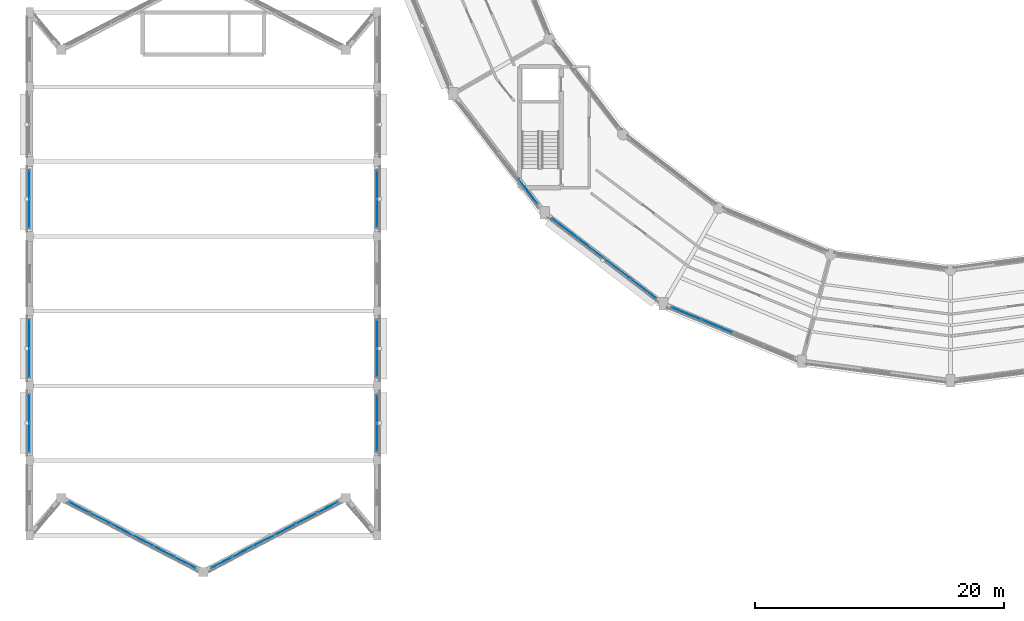
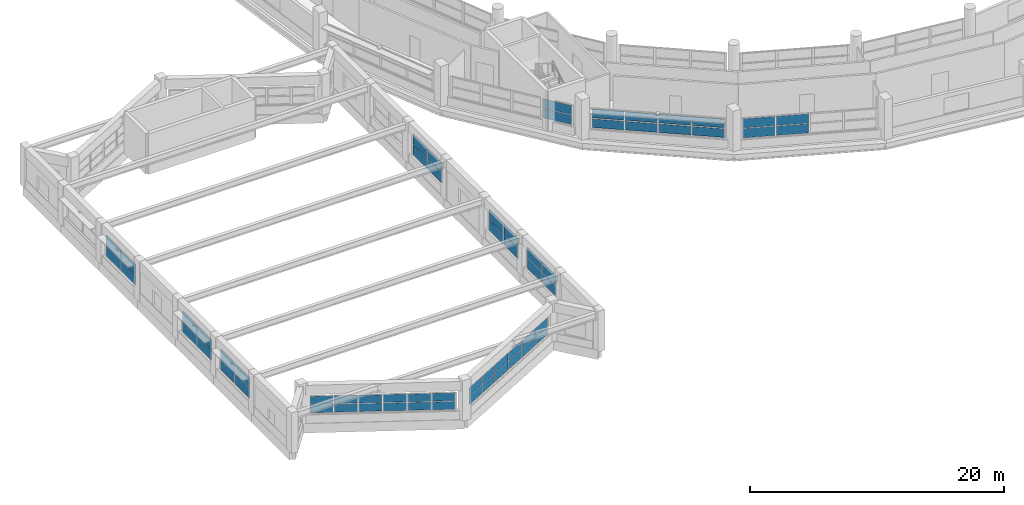
# One storey, part 83 of 108: 62 plates, 11 elements without a shape of their own.
"""IFC4 building model written with IfcOpenShell, lengths in metres."""

from ifc_helpers import new_model, si_unit, direction, frame, origin, origin_2d, place, context, subcontext, project, spatial, rectangle, extrude, material, layer, layer_set, type_object, element, aggregate, save


model = new_model("IFC4")

# Units and contexts
model_context = context("Model", 3, precision=1e-05, world=origin(), true_north=direction((0.0, 1.0)))
body_context = subcontext(model_context, "Body", "Model", "MODEL_VIEW")
ifc_project = project(units=[si_unit("LENGTHUNIT", "METRE"), si_unit("AREAUNIT", "SQUARE_METRE"), si_unit("VOLUMEUNIT", "CUBIC_METRE"), si_unit("PLANEANGLEUNIT", "RADIAN"), si_unit("MASSUNIT", "GRAM", prefix="KILO")], contexts=[model_context])

# Site, building, storey
site_placement = place(None, origin())
site = spatial("IfcSite", under=ifc_project, at=site_placement, CompositionType="ELEMENT")
building_placement = place(site_placement, origin())
building = spatial("IfcBuilding", under=site, at=building_placement, Name="Vespera Passage Community Centre", CompositionType="ELEMENT")
storey_placement = place(building_placement, frame((0.0, 0.0, 12.60009765625)))
storey = spatial("IfcBuildingStorey", under=building, at=storey_placement, Name="L03", CompositionType="ELEMENT", Elevation=12.60009765625)

# Curtain wall, plates
ifc_material_1 = material(Name="Anodized aluminium 6063-T6", Category="aluminium")
ifc_layer_1 = layer(ifc_material_1, 0.159912109375)
ifc_layer_set_1 = layer_set([ifc_layer_1], Name="Anodized aluminium 6063-T6")
curtain_wall_type_1 = type_object("IfcCurtainWallType", Name="CW-37E", PredefinedType="NOTDEFINED", material=ifc_layer_set_1)
curtain_wall_1_placement = place(storey_placement, origin())
curtain_wall_1 = element("IfcCurtainWall", 1, at=curtain_wall_1_placement, inside=storey, type_object=curtain_wall_type_1, Name="V4 L03 Outer Ribbon Curtain Wall 15", PredefinedType="NOTDEFINED")
ifc_material_2 = material(Name="Low-E insulated vision glass", Category="glass")
ifc_layer_2 = layer(ifc_material_2, 0.02001953125)
ifc_layer_set_2 = layer_set([ifc_layer_2], Name="Low-E insulated vision glass")
plate_type_1 = type_object("IfcPlateType", Name="PL-CWP-20E", PredefinedType="CURTAIN_PANEL", material=ifc_layer_set_2)
plate_1_placement = place(storey_placement, frame((53.33447265625, 26.81591796875, 0.919921875), z_axis=(0.0, 0.0, 1.0), x_axis=(-0.793345363065, 0.608771824991, 0.0)))
plate_1 = element("IfcPlate", 2, at=plate_1_placement, type_object=plate_type_1, Name="CW-37E panel 1.1", PredefinedType="CURTAIN_PANEL", context=body_context, shape_type="SweptSolid", body=[
    extrude(rectangle(XDim=2.5673828125, YDim=0.02001953125, at=origin_2d()), origin(), (0.0, 0.0, 1.0), 0.832763671875),
])
plate_2_placement = place(storey_placement, frame((53.33447265625, 26.81591796875, 1.8525390625), z_axis=(0.0, 0.0, 1.0), x_axis=(-0.793345363065, 0.608771824991, 0.0)))
plate_2 = element("IfcPlate", 3, at=plate_2_placement, type_object=plate_type_1, Name="CW-37E panel 1.2", PredefinedType="CURTAIN_PANEL", context=body_context, shape_type="SweptSolid", body=[
    extrude(rectangle(XDim=2.5673828125, YDim=0.02001953125, at=origin_2d()), origin(), (0.0, 0.0, 1.0), 0.832763671875),
])
plate_3_placement = place(storey_placement, frame((51.233154296875, 28.42822265625, 0.919921875), z_axis=(0.0, 0.0, 1.0), x_axis=(-0.793345363065, 0.608771824991, 0.0)))
plate_3 = element("IfcPlate", 4, at=plate_3_placement, type_object=plate_type_1, Name="CW-37E panel 2.1", PredefinedType="CURTAIN_PANEL", context=body_context, shape_type="SweptSolid", body=[
    extrude(rectangle(XDim=2.599853515625, YDim=0.02001953125, at=origin_2d()), origin(), (0.0, 0.0, 1.0), 0.832763671875),
])
plate_4_placement = place(storey_placement, frame((51.233154296875, 28.42822265625, 1.8525390625), z_axis=(0.0, 0.0, 1.0), x_axis=(-0.793345363065, 0.608771824991, 0.0)))
plate_4 = element("IfcPlate", 5, at=plate_4_placement, type_object=plate_type_1, Name="CW-37E panel 2.2", PredefinedType="CURTAIN_PANEL", context=body_context, shape_type="SweptSolid", body=[
    extrude(rectangle(XDim=2.599853515625, YDim=0.02001953125, at=origin_2d()), origin(), (0.0, 0.0, 1.0), 0.832763671875),
])
plate_5_placement = place(storey_placement, frame((49.119140625, 30.050537109375, 0.919921875), z_axis=(0.0, 0.0, 1.0), x_axis=(-0.793345363065, 0.608771824991, 0.0)))
plate_5 = element("IfcPlate", 6, at=plate_5_placement, type_object=plate_type_1, Name="CW-37E panel 3.1", PredefinedType="CURTAIN_PANEL", context=body_context, shape_type="SweptSolid", body=[
    extrude(rectangle(XDim=2.599853515625, YDim=0.02001953125, at=origin_2d()), origin(), (0.0, 0.0, 1.0), 0.832763671875),
])
plate_6_placement = place(storey_placement, frame((49.119140625, 30.050537109375, 1.8525390625), z_axis=(0.0, 0.0, 1.0), x_axis=(-0.793345363065, 0.608771824991, 0.0)))
plate_6 = element("IfcPlate", 7, at=plate_6_placement, type_object=plate_type_1, Name="CW-37E panel 3.2", PredefinedType="CURTAIN_PANEL", context=body_context, shape_type="SweptSolid", body=[
    extrude(rectangle(XDim=2.599853515625, YDim=0.02001953125, at=origin_2d()), origin(), (0.0, 0.0, 1.0), 0.832763671875),
])
plate_7_placement = place(storey_placement, frame((47.017822265625, 31.662841796875, 0.919921875), z_axis=(0.0, 0.0, 1.0), x_axis=(-0.793345363065, 0.608771824991, 0.0)))
plate_7 = element("IfcPlate", 8, at=plate_7_placement, type_object=plate_type_1, Name="CW-37E panel 4.1", PredefinedType="CURTAIN_PANEL", context=body_context, shape_type="SweptSolid", body=[
    extrude(rectangle(XDim=2.5673828125, YDim=0.02001953125, at=origin_2d()), origin(), (0.0, 0.0, 1.0), 0.832763671875),
])
plate_8_placement = place(storey_placement, frame((47.017822265625, 31.662841796875, 1.8525390625), z_axis=(0.0, 0.0, 1.0), x_axis=(-0.793345363065, 0.608771824991, 0.0)))
plate_8 = element("IfcPlate", 9, at=plate_8_placement, type_object=plate_type_1, Name="CW-37E panel 4.2", PredefinedType="CURTAIN_PANEL", context=body_context, shape_type="SweptSolid", body=[
    extrude(rectangle(XDim=2.5673828125, YDim=0.02001953125, at=origin_2d()), origin(), (0.0, 0.0, 1.0), 0.832763671875),
])
aggregate(curtain_wall_1, [plate_1, plate_2, plate_3, plate_4, plate_5, plate_6, plate_7, plate_8])

ifc_material_3 = material(Name="Anodized aluminium 6063-T6", Category="aluminium")
ifc_layer_3 = layer(ifc_material_3, 0.159912109375)
ifc_layer_set_3 = layer_set([ifc_layer_3], Name="Anodized aluminium 6063-T6")
curtain_wall_type_2 = type_object("IfcCurtainWallType", Name="CW-39E", PredefinedType="NOTDEFINED", material=ifc_layer_set_3)
curtain_wall_2_placement = place(storey_placement, origin())
curtain_wall_2 = element("IfcCurtainWall", 10, at=curtain_wall_2_placement, inside=storey, type_object=curtain_wall_type_2, Name="V4 L03 Outer Ribbon Curtain Wall 16", PredefinedType="NOTDEFINED")
ifc_material_4 = material(Name="Low-E insulated vision glass", Category="glass")
ifc_layer_4 = layer(ifc_material_4, 0.028076171875)
ifc_layer_set_4 = layer_set([ifc_layer_4], Name="Low-E insulated vision glass")
plate_type_2 = type_object("IfcPlateType", Name="PL-CWP-28E", PredefinedType="CURTAIN_PANEL", material=ifc_layer_set_4)
plate_9_placement = place(storey_placement, frame((59.2626953125, 23.789794921875, 0.8798828125), z_axis=(0.0, 0.0, 1.0), x_axis=(-0.923879738007, 0.382682936255, 0.0)))
plate_9 = element("IfcPlate", 11, at=plate_9_placement, type_object=plate_type_2, Name="CW-39E panel 3.1", PredefinedType="CURTAIN_PANEL", context=body_context, shape_type="SweptSolid", body=[
    extrude(rectangle(XDim=2.623291015625, YDim=0.028076171875, at=origin_2d()), origin(), (0.0, 0.0, 1.0), 0.892822265625),
])
plate_10_placement = place(storey_placement, frame((59.2626953125, 23.789794921875, 1.83251953125), z_axis=(0.0, 0.0, 1.0), x_axis=(-0.923879738007, 0.382682936255, 0.0)))
plate_10 = element("IfcPlate", 12, at=plate_10_placement, type_object=plate_type_2, Name="CW-39E panel 3.2", PredefinedType="CURTAIN_PANEL", context=body_context, shape_type="SweptSolid", body=[
    extrude(rectangle(XDim=2.623291015625, YDim=0.028076171875, at=origin_2d()), origin(), (0.0, 0.0, 1.0), 0.892822265625),
])
plate_11_placement = place(storey_placement, frame((56.787353515625, 24.815185546875, 0.8798828125), z_axis=(0.0, 0.0, 1.0), x_axis=(-0.923879738007, 0.382682936255, 0.0)))
plate_11 = element("IfcPlate", 13, at=plate_11_placement, type_object=plate_type_2, Name="CW-39E panel 4.1", PredefinedType="CURTAIN_PANEL", context=body_context, shape_type="SweptSolid", body=[
    extrude(rectangle(XDim=2.585693359375, YDim=0.028076171875, at=origin_2d()), origin(), (0.0, 0.0, 1.0), 0.892822265625),
])
plate_12_placement = place(storey_placement, frame((56.787353515625, 24.815185546875, 1.83251953125), z_axis=(0.0, 0.0, 1.0), x_axis=(-0.923879738007, 0.382682936255, 0.0)))
plate_12 = element("IfcPlate", 14, at=plate_12_placement, type_object=plate_type_2, Name="CW-39E panel 4.2", PredefinedType="CURTAIN_PANEL", context=body_context, shape_type="SweptSolid", body=[
    extrude(rectangle(XDim=2.585693359375, YDim=0.028076171875, at=origin_2d()), origin(), (0.0, 0.0, 1.0), 0.892822265625),
])
aggregate(curtain_wall_2, [plate_9, plate_10, plate_11, plate_12])

ifc_material_5 = material(Name="Anodized aluminium 6063-T6", Category="aluminium")
ifc_layer_5 = layer(ifc_material_5, 0.159912109375)
ifc_layer_set_5 = layer_set([ifc_layer_5], Name="Anodized aluminium 6063-T6")
curtain_wall_type_3 = type_object("IfcCurtainWallType", Name="CW-88E", PredefinedType="NOTDEFINED", material=ifc_layer_set_5)
curtain_wall_3_placement = place(storey_placement, origin())
curtain_wall_3 = element("IfcCurtainWall", 15, at=curtain_wall_3_placement, inside=storey, type_object=curtain_wall_type_3, Name="V1 L03 S Apse Ribbon Curtain Wall 2", PredefinedType="NOTDEFINED")
plate_13_placement = place(storey_placement, frame((27.98681640625, 9.248779296875, 0.85986328125), z_axis=(0.0, 0.0, 1.0), x_axis=(-0.887012747062, -0.46174493668, 0.0)))
plate_13 = element("IfcPlate", 16, at=plate_13_placement, type_object=plate_type_2, Name="CW-88E panel 1.1", PredefinedType="CURTAIN_PANEL", context=body_context, shape_type="SweptSolid", body=[
    extrude(rectangle(XDim=1.822021484375, YDim=0.028076171875, at=origin_2d()), origin(), (0.0, 0.0, 1.0), 0.760009765625),
])
plate_14_placement = place(storey_placement, frame((27.98681640625, 9.248779296875, 1.6796875), z_axis=(0.0, 0.0, 1.0), x_axis=(-0.887012747062, -0.46174493668, 0.0)))
plate_14 = element("IfcPlate", 17, at=plate_14_placement, type_object=plate_type_2, Name="CW-88E panel 1.2", PredefinedType="CURTAIN_PANEL", context=body_context, shape_type="SweptSolid", body=[
    extrude(rectangle(XDim=1.822021484375, YDim=0.028076171875, at=origin_2d()), origin(), (0.0, 0.0, 1.0), 0.760009765625),
])
plate_15_placement = place(storey_placement, frame((26.28759765625, 8.3642578125, 0.85986328125), z_axis=(0.0, 0.0, 1.0), x_axis=(-0.887012747062, -0.46174493668, 0.0)))
plate_15 = element("IfcPlate", 18, at=plate_15_placement, type_object=plate_type_2, Name="CW-88E panel 2.1", PredefinedType="CURTAIN_PANEL", context=body_context, shape_type="SweptSolid", body=[
    extrude(rectangle(XDim=1.859619140625, YDim=0.028076171875, at=origin_2d()), origin(), (0.0, 0.0, 1.0), 0.760009765625),
])
plate_16_placement = place(storey_placement, frame((26.28759765625, 8.3642578125, 1.6796875), z_axis=(0.0, 0.0, 1.0), x_axis=(-0.887012747062, -0.46174493668, 0.0)))
plate_16 = element("IfcPlate", 19, at=plate_16_placement, type_object=plate_type_2, Name="CW-88E panel 2.2", PredefinedType="CURTAIN_PANEL", context=body_context, shape_type="SweptSolid", body=[
    extrude(rectangle(XDim=1.859619140625, YDim=0.028076171875, at=origin_2d()), origin(), (0.0, 0.0, 1.0), 0.760009765625),
])
plate_17_placement = place(storey_placement, frame((24.571533203125, 7.470947265625, 0.85986328125), z_axis=(0.0, 0.0, 1.0), x_axis=(-0.887012747062, -0.46174493668, 0.0)))
plate_17 = element("IfcPlate", 20, at=plate_17_placement, type_object=plate_type_2, Name="CW-88E panel 3.1", PredefinedType="CURTAIN_PANEL", context=body_context, shape_type="SweptSolid", body=[
    extrude(rectangle(XDim=1.859619140625, YDim=0.028076171875, at=origin_2d()), origin(), (0.0, 0.0, 1.0), 0.760009765625),
])
plate_18_placement = place(storey_placement, frame((24.571533203125, 7.470947265625, 1.6796875), z_axis=(0.0, 0.0, 1.0), x_axis=(-0.887012747062, -0.46174493668, 0.0)))
plate_18 = element("IfcPlate", 21, at=plate_18_placement, type_object=plate_type_2, Name="CW-88E panel 3.2", PredefinedType="CURTAIN_PANEL", context=body_context, shape_type="SweptSolid", body=[
    extrude(rectangle(XDim=1.859619140625, YDim=0.028076171875, at=origin_2d()), origin(), (0.0, 0.0, 1.0), 0.760009765625),
])
plate_19_placement = place(storey_placement, frame((22.855712890625, 6.57763671875, 0.85986328125), z_axis=(0.0, 0.0, 1.0), x_axis=(-0.887012747062, -0.46174493668, 0.0)))
plate_19 = element("IfcPlate", 22, at=plate_19_placement, type_object=plate_type_2, Name="CW-88E panel 4.1", PredefinedType="CURTAIN_PANEL", context=body_context, shape_type="SweptSolid", body=[
    extrude(rectangle(XDim=1.859619140625, YDim=0.028076171875, at=origin_2d()), origin(), (0.0, 0.0, 1.0), 0.760009765625),
])
plate_20_placement = place(storey_placement, frame((22.855712890625, 6.57763671875, 1.6796875), z_axis=(0.0, 0.0, 1.0), x_axis=(-0.887012747062, -0.46174493668, 0.0)))
plate_20 = element("IfcPlate", 23, at=plate_20_placement, type_object=plate_type_2, Name="CW-88E panel 4.2", PredefinedType="CURTAIN_PANEL", context=body_context, shape_type="SweptSolid", body=[
    extrude(rectangle(XDim=1.859619140625, YDim=0.028076171875, at=origin_2d()), origin(), (0.0, 0.0, 1.0), 0.760009765625),
])
plate_21_placement = place(storey_placement, frame((21.1396484375, 5.684326171875, 0.85986328125), z_axis=(0.0, 0.0, 1.0), x_axis=(-0.887012747062, -0.46174493668, 0.0)))
plate_21 = element("IfcPlate", 24, at=plate_21_placement, type_object=plate_type_2, Name="CW-88E panel 5.1", PredefinedType="CURTAIN_PANEL", context=body_context, shape_type="SweptSolid", body=[
    extrude(rectangle(XDim=1.859619140625, YDim=0.028076171875, at=origin_2d()), origin(), (0.0, 0.0, 1.0), 0.760009765625),
])
plate_22_placement = place(storey_placement, frame((21.1396484375, 5.684326171875, 1.6796875), z_axis=(0.0, 0.0, 1.0), x_axis=(-0.887012747062, -0.46174493668, 0.0)))
plate_22 = element("IfcPlate", 25, at=plate_22_placement, type_object=plate_type_2, Name="CW-88E panel 5.2", PredefinedType="CURTAIN_PANEL", context=body_context, shape_type="SweptSolid", body=[
    extrude(rectangle(XDim=1.859619140625, YDim=0.028076171875, at=origin_2d()), origin(), (0.0, 0.0, 1.0), 0.760009765625),
])
plate_23_placement = place(storey_placement, frame((19.4404296875, 4.7998046875, 0.85986328125), z_axis=(0.0, 0.0, 1.0), x_axis=(-0.887012747062, -0.46174493668, 0.0)))
plate_23 = element("IfcPlate", 26, at=plate_23_placement, type_object=plate_type_2, Name="CW-88E panel 6.1", PredefinedType="CURTAIN_PANEL", context=body_context, shape_type="SweptSolid", body=[
    extrude(rectangle(XDim=1.822021484375, YDim=0.028076171875, at=origin_2d()), origin(), (0.0, 0.0, 1.0), 0.760009765625),
])
plate_24_placement = place(storey_placement, frame((19.4404296875, 4.7998046875, 1.6796875), z_axis=(0.0, 0.0, 1.0), x_axis=(-0.887012747062, -0.46174493668, 0.0)))
plate_24 = element("IfcPlate", 27, at=plate_24_placement, type_object=plate_type_2, Name="CW-88E panel 6.2", PredefinedType="CURTAIN_PANEL", context=body_context, shape_type="SweptSolid", body=[
    extrude(rectangle(XDim=1.822021484375, YDim=0.028076171875, at=origin_2d()), origin(), (0.0, 0.0, 1.0), 0.760009765625),
])
aggregate(curtain_wall_3, [plate_13, plate_14, plate_15, plate_16, plate_17, plate_18, plate_19, plate_20, plate_21, plate_22, plate_23, plate_24])

curtain_wall_4_placement = place(storey_placement, origin())
curtain_wall_4 = element("IfcCurtainWall", 28, at=curtain_wall_4_placement, inside=storey, type_object=curtain_wall_type_3, Name="V1 L03 S Apse Ribbon Curtain Wall 3", PredefinedType="NOTDEFINED")
plate_25_placement = place(storey_placement, frame((16.5595703125, 4.7998046875, 0.85986328125), z_axis=(0.0, 0.0, 1.0), x_axis=(-0.887012747062, 0.46174493668, 0.0)))
plate_25 = element("IfcPlate", 29, at=plate_25_placement, type_object=plate_type_2, Name="CW-88E panel 1.1", PredefinedType="CURTAIN_PANEL", context=body_context, shape_type="SweptSolid", body=[
    extrude(rectangle(XDim=1.822021484375, YDim=0.028076171875, at=origin_2d()), origin(), (0.0, 0.0, 1.0), 0.760009765625),
])
plate_26_placement = place(storey_placement, frame((16.5595703125, 4.7998046875, 1.6796875), z_axis=(0.0, 0.0, 1.0), x_axis=(-0.887012747062, 0.46174493668, 0.0)))
plate_26 = element("IfcPlate", 30, at=plate_26_placement, type_object=plate_type_2, Name="CW-88E panel 1.2", PredefinedType="CURTAIN_PANEL", context=body_context, shape_type="SweptSolid", body=[
    extrude(rectangle(XDim=1.822021484375, YDim=0.028076171875, at=origin_2d()), origin(), (0.0, 0.0, 1.0), 0.760009765625),
])
plate_27_placement = place(storey_placement, frame((14.8603515625, 5.684326171875, 0.85986328125), z_axis=(0.0, 0.0, 1.0), x_axis=(-0.887012747062, 0.46174493668, 0.0)))
plate_27 = element("IfcPlate", 31, at=plate_27_placement, type_object=plate_type_2, Name="CW-88E panel 2.1", PredefinedType="CURTAIN_PANEL", context=body_context, shape_type="SweptSolid", body=[
    extrude(rectangle(XDim=1.859619140625, YDim=0.028076171875, at=origin_2d()), origin(), (0.0, 0.0, 1.0), 0.760009765625),
])
plate_28_placement = place(storey_placement, frame((14.8603515625, 5.684326171875, 1.6796875), z_axis=(0.0, 0.0, 1.0), x_axis=(-0.887012747062, 0.46174493668, 0.0)))
plate_28 = element("IfcPlate", 32, at=plate_28_placement, type_object=plate_type_2, Name="CW-88E panel 2.2", PredefinedType="CURTAIN_PANEL", context=body_context, shape_type="SweptSolid", body=[
    extrude(rectangle(XDim=1.859619140625, YDim=0.028076171875, at=origin_2d()), origin(), (0.0, 0.0, 1.0), 0.760009765625),
])
plate_29_placement = place(storey_placement, frame((13.144287109375, 6.57763671875, 0.85986328125), z_axis=(0.0, 0.0, 1.0), x_axis=(-0.887012747062, 0.46174493668, 0.0)))
plate_29 = element("IfcPlate", 33, at=plate_29_placement, type_object=plate_type_2, Name="CW-88E panel 3.1", PredefinedType="CURTAIN_PANEL", context=body_context, shape_type="SweptSolid", body=[
    extrude(rectangle(XDim=1.859619140625, YDim=0.028076171875, at=origin_2d()), origin(), (0.0, 0.0, 1.0), 0.760009765625),
])
plate_30_placement = place(storey_placement, frame((13.144287109375, 6.57763671875, 1.6796875), z_axis=(0.0, 0.0, 1.0), x_axis=(-0.887012747062, 0.46174493668, 0.0)))
plate_30 = element("IfcPlate", 34, at=plate_30_placement, type_object=plate_type_2, Name="CW-88E panel 3.2", PredefinedType="CURTAIN_PANEL", context=body_context, shape_type="SweptSolid", body=[
    extrude(rectangle(XDim=1.859619140625, YDim=0.028076171875, at=origin_2d()), origin(), (0.0, 0.0, 1.0), 0.760009765625),
])
plate_31_placement = place(storey_placement, frame((11.428466796875, 7.470947265625, 0.85986328125), z_axis=(0.0, 0.0, 1.0), x_axis=(-0.887012747062, 0.46174493668, 0.0)))
plate_31 = element("IfcPlate", 35, at=plate_31_placement, type_object=plate_type_2, Name="CW-88E panel 4.1", PredefinedType="CURTAIN_PANEL", context=body_context, shape_type="SweptSolid", body=[
    extrude(rectangle(XDim=1.859619140625, YDim=0.028076171875, at=origin_2d()), origin(), (0.0, 0.0, 1.0), 0.760009765625),
])
plate_32_placement = place(storey_placement, frame((11.428466796875, 7.470947265625, 1.6796875), z_axis=(0.0, 0.0, 1.0), x_axis=(-0.887012747062, 0.46174493668, 0.0)))
plate_32 = element("IfcPlate", 36, at=plate_32_placement, type_object=plate_type_2, Name="CW-88E panel 4.2", PredefinedType="CURTAIN_PANEL", context=body_context, shape_type="SweptSolid", body=[
    extrude(rectangle(XDim=1.859619140625, YDim=0.028076171875, at=origin_2d()), origin(), (0.0, 0.0, 1.0), 0.760009765625),
])
plate_33_placement = place(storey_placement, frame((9.71240234375, 8.3642578125, 0.85986328125), z_axis=(0.0, 0.0, 1.0), x_axis=(-0.887012747062, 0.46174493668, 0.0)))
plate_33 = element("IfcPlate", 37, at=plate_33_placement, type_object=plate_type_2, Name="CW-88E panel 5.1", PredefinedType="CURTAIN_PANEL", context=body_context, shape_type="SweptSolid", body=[
    extrude(rectangle(XDim=1.859619140625, YDim=0.028076171875, at=origin_2d()), origin(), (0.0, 0.0, 1.0), 0.760009765625),
])
plate_34_placement = place(storey_placement, frame((9.71240234375, 8.3642578125, 1.6796875), z_axis=(0.0, 0.0, 1.0), x_axis=(-0.887012747062, 0.46174493668, 0.0)))
plate_34 = element("IfcPlate", 38, at=plate_34_placement, type_object=plate_type_2, Name="CW-88E panel 5.2", PredefinedType="CURTAIN_PANEL", context=body_context, shape_type="SweptSolid", body=[
    extrude(rectangle(XDim=1.859619140625, YDim=0.028076171875, at=origin_2d()), origin(), (0.0, 0.0, 1.0), 0.760009765625),
])
plate_35_placement = place(storey_placement, frame((8.01318359375, 9.248779296875, 0.85986328125), z_axis=(0.0, 0.0, 1.0), x_axis=(-0.887012747062, 0.46174493668, 0.0)))
plate_35 = element("IfcPlate", 39, at=plate_35_placement, type_object=plate_type_2, Name="CW-88E panel 6.1", PredefinedType="CURTAIN_PANEL", context=body_context, shape_type="SweptSolid", body=[
    extrude(rectangle(XDim=1.822021484375, YDim=0.028076171875, at=origin_2d()), origin(), (0.0, 0.0, 1.0), 0.760009765625),
])
plate_36_placement = place(storey_placement, frame((8.01318359375, 9.248779296875, 1.6796875), z_axis=(0.0, 0.0, 1.0), x_axis=(-0.887012747062, 0.46174493668, 0.0)))
plate_36 = element("IfcPlate", 40, at=plate_36_placement, type_object=plate_type_2, Name="CW-88E panel 6.2", PredefinedType="CURTAIN_PANEL", context=body_context, shape_type="SweptSolid", body=[
    extrude(rectangle(XDim=1.822021484375, YDim=0.028076171875, at=origin_2d()), origin(), (0.0, 0.0, 1.0), 0.760009765625),
])
aggregate(curtain_wall_4, [plate_25, plate_26, plate_27, plate_28, plate_29, plate_30, plate_31, plate_32, plate_33, plate_34, plate_35, plate_36])

ifc_material_6 = material(Name="Anodized aluminium 6063-T6", Category="aluminium")
ifc_layer_6 = layer(ifc_material_6, 0.159912109375)
ifc_layer_set_6 = layer_set([ifc_layer_6], Name="Anodized aluminium 6063-T6")
curtain_wall_type_4 = type_object("IfcCurtainWallType", Name="CW-50E", PredefinedType="NOTDEFINED", material=ifc_layer_set_6)
curtain_wall_5_placement = place(storey_placement, origin())
curtain_wall_5 = element("IfcCurtainWall", 41, at=curtain_wall_5_placement, inside=storey, type_object=curtain_wall_type_4, Name="V4 L03 Outer Ribbon Curtain Wall 14", PredefinedType="NOTDEFINED")
ifc_material_7 = material(Name="Acoustic triple-glazed vision glass", Category="glass")
ifc_layer_7 = layer(ifc_material_7, 0.035888671875)
ifc_layer_set_7 = layer_set([ifc_layer_7], Name="Acoustic triple-glazed vision glass")
plate_type_3 = type_object("IfcPlateType", Name="PL-CWP-36E", PredefinedType="CURTAIN_PANEL", material=ifc_layer_set_7)
plate_37_placement = place(storey_placement, frame((44.095703125, 34.605224609375, 0.8798828125), z_axis=(0.0, 0.0, 1.0), x_axis=(-0.608765447029, 0.793350257139, 0.0)))
plate_37 = element("IfcPlate", 42, at=plate_37_placement, type_object=plate_type_3, Name="CW-50E panel 1.1", PredefinedType="CURTAIN_PANEL", context=body_context, shape_type="SweptSolid", body=[
    extrude(rectangle(XDim=2.480712890625, YDim=0.035888671875, at=origin_2d()), origin(), (0.0, 0.0, 1.0), 0.892822265625),
])
plate_38_placement = place(storey_placement, frame((44.095703125, 34.605224609375, 1.83251953125), z_axis=(0.0, 0.0, 1.0), x_axis=(-0.608765447029, 0.793350257139, 0.0)))
plate_38 = element("IfcPlate", 43, at=plate_38_placement, type_object=plate_type_3, Name="CW-50E panel 1.2", PredefinedType="CURTAIN_PANEL", context=body_context, shape_type="SweptSolid", body=[
    extrude(rectangle(XDim=2.480712890625, YDim=0.035888671875, at=origin_2d()), origin(), (0.0, 0.0, 1.0), 0.892822265625),
])
aggregate(curtain_wall_5, [plate_37, plate_38])

ifc_material_8 = material(Name="Anodized aluminium 6063-T6", Category="aluminium")
ifc_layer_8 = layer(ifc_material_8, 0.159912109375)
ifc_layer_set_8 = layer_set([ifc_layer_8], Name="Anodized aluminium 6063-T6")
curtain_wall_type_5 = type_object("IfcCurtainWallType", Name="CW-86E", PredefinedType="NOTDEFINED", material=ifc_layer_set_8)
curtain_wall_6_placement = place(storey_placement, origin())
curtain_wall_6 = element("IfcCurtainWall", 44, at=curtain_wall_6_placement, inside=storey, type_object=curtain_wall_type_5, Name="Main Hall Acoustic Curtain Wall L03 W2", PredefinedType="NOTDEFINED")
plate_39_placement = place(storey_placement, frame((4.050048828125, 14.831298828125, 0.90966796875), z_axis=(0.0, 0.0, 1.0), x_axis=(0.0, 1.0, 0.0)))
plate_39 = element("IfcPlate", 45, at=plate_39_placement, type_object=plate_type_3, Name="CW-86E panel 1.1", PredefinedType="CURTAIN_PANEL", context=body_context, shape_type="SweptSolid", body=[
    extrude(rectangle(XDim=2.262451171875, YDim=0.035888671875, at=origin_2d()), origin(), (0.0, 0.0, 1.0), 0.967529296875),
])
plate_40_placement = place(storey_placement, frame((4.050048828125, 14.831298828125, 1.9375), z_axis=(0.0, 0.0, 1.0), x_axis=(0.0, 1.0, 0.0)))
plate_40 = element("IfcPlate", 46, at=plate_40_placement, type_object=plate_type_3, Name="CW-86E panel 1.2", PredefinedType="CURTAIN_PANEL", context=body_context, shape_type="SweptSolid", body=[
    extrude(rectangle(XDim=2.262451171875, YDim=0.035888671875, at=origin_2d()), origin(), (0.0, 0.0, 1.0), 0.967529296875),
])
plate_41_placement = place(storey_placement, frame((4.050048828125, 17.168701171875, 0.90966796875), z_axis=(0.0, 0.0, 1.0), x_axis=(0.0, 1.0, 0.0)))
plate_41 = element("IfcPlate", 47, at=plate_41_placement, type_object=plate_type_3, Name="CW-86E panel 2.1", PredefinedType="CURTAIN_PANEL", context=body_context, shape_type="SweptSolid", body=[
    extrude(rectangle(XDim=2.262451171875, YDim=0.035888671875, at=origin_2d()), origin(), (0.0, 0.0, 1.0), 0.967529296875),
])
plate_42_placement = place(storey_placement, frame((4.050048828125, 17.168701171875, 1.9375), z_axis=(0.0, 0.0, 1.0), x_axis=(0.0, 1.0, 0.0)))
plate_42 = element("IfcPlate", 48, at=plate_42_placement, type_object=plate_type_3, Name="CW-86E panel 2.2", PredefinedType="CURTAIN_PANEL", context=body_context, shape_type="SweptSolid", body=[
    extrude(rectangle(XDim=2.262451171875, YDim=0.035888671875, at=origin_2d()), origin(), (0.0, 0.0, 1.0), 0.967529296875),
])
aggregate(curtain_wall_6, [plate_39, plate_40, plate_41, plate_42])

curtain_wall_7_placement = place(storey_placement, origin())
curtain_wall_7 = element("IfcCurtainWall", 49, at=curtain_wall_7_placement, inside=storey, type_object=curtain_wall_type_5, Name="Main Hall Acoustic Curtain Wall L03 E2", PredefinedType="NOTDEFINED")
plate_43_placement = place(storey_placement, frame((31.949951171875, 17.168701171875, 0.90966796875), z_axis=(0.0, 0.0, 1.0), x_axis=(0.0, -1.0, 0.0)))
plate_43 = element("IfcPlate", 50, at=plate_43_placement, type_object=plate_type_3, Name="CW-86E panel 1.1", PredefinedType="CURTAIN_PANEL", context=body_context, shape_type="SweptSolid", body=[
    extrude(rectangle(XDim=2.262451171875, YDim=0.035888671875, at=origin_2d()), origin(), (0.0, 0.0, 1.0), 0.967529296875),
])
plate_44_placement = place(storey_placement, frame((31.949951171875, 17.168701171875, 1.9375), z_axis=(0.0, 0.0, 1.0), x_axis=(0.0, -1.0, 0.0)))
plate_44 = element("IfcPlate", 51, at=plate_44_placement, type_object=plate_type_3, Name="CW-86E panel 1.2", PredefinedType="CURTAIN_PANEL", context=body_context, shape_type="SweptSolid", body=[
    extrude(rectangle(XDim=2.262451171875, YDim=0.035888671875, at=origin_2d()), origin(), (0.0, 0.0, 1.0), 0.967529296875),
])
plate_45_placement = place(storey_placement, frame((31.949951171875, 14.831298828125, 0.90966796875), z_axis=(0.0, 0.0, 1.0), x_axis=(0.0, -1.0, 0.0)))
plate_45 = element("IfcPlate", 52, at=plate_45_placement, type_object=plate_type_3, Name="CW-86E panel 2.1", PredefinedType="CURTAIN_PANEL", context=body_context, shape_type="SweptSolid", body=[
    extrude(rectangle(XDim=2.262451171875, YDim=0.035888671875, at=origin_2d()), origin(), (0.0, 0.0, 1.0), 0.967529296875),
])
plate_46_placement = place(storey_placement, frame((31.949951171875, 14.831298828125, 1.9375), z_axis=(0.0, 0.0, 1.0), x_axis=(0.0, -1.0, 0.0)))
plate_46 = element("IfcPlate", 53, at=plate_46_placement, type_object=plate_type_3, Name="CW-86E panel 2.2", PredefinedType="CURTAIN_PANEL", context=body_context, shape_type="SweptSolid", body=[
    extrude(rectangle(XDim=2.262451171875, YDim=0.035888671875, at=origin_2d()), origin(), (0.0, 0.0, 1.0), 0.967529296875),
])
aggregate(curtain_wall_7, [plate_43, plate_44, plate_45, plate_46])

curtain_wall_8_placement = place(storey_placement, origin())
curtain_wall_8 = element("IfcCurtainWall", 54, at=curtain_wall_8_placement, inside=storey, type_object=curtain_wall_type_5, Name="Main Hall Acoustic Curtain Wall L03 W3", PredefinedType="NOTDEFINED")
plate_47_placement = place(storey_placement, frame((4.050048828125, 20.831298828125, 0.90966796875), z_axis=(0.0, 0.0, 1.0), x_axis=(0.0, 1.0, 0.0)))
plate_47 = element("IfcPlate", 55, at=plate_47_placement, type_object=plate_type_3, Name="CW-86E panel 1.1", PredefinedType="CURTAIN_PANEL", context=body_context, shape_type="SweptSolid", body=[
    extrude(rectangle(XDim=2.262451171875, YDim=0.035888671875, at=origin_2d()), origin(), (0.0, 0.0, 1.0), 0.967529296875),
])
plate_48_placement = place(storey_placement, frame((4.050048828125, 20.831298828125, 1.9375), z_axis=(0.0, 0.0, 1.0), x_axis=(0.0, 1.0, 0.0)))
plate_48 = element("IfcPlate", 56, at=plate_48_placement, type_object=plate_type_3, Name="CW-86E panel 1.2", PredefinedType="CURTAIN_PANEL", context=body_context, shape_type="SweptSolid", body=[
    extrude(rectangle(XDim=2.262451171875, YDim=0.035888671875, at=origin_2d()), origin(), (0.0, 0.0, 1.0), 0.967529296875),
])
plate_49_placement = place(storey_placement, frame((4.050048828125, 23.168701171875, 0.90966796875), z_axis=(0.0, 0.0, 1.0), x_axis=(0.0, 1.0, 0.0)))
plate_49 = element("IfcPlate", 57, at=plate_49_placement, type_object=plate_type_3, Name="CW-86E panel 2.1", PredefinedType="CURTAIN_PANEL", context=body_context, shape_type="SweptSolid", body=[
    extrude(rectangle(XDim=2.262451171875, YDim=0.035888671875, at=origin_2d()), origin(), (0.0, 0.0, 1.0), 0.967529296875),
])
plate_50_placement = place(storey_placement, frame((4.050048828125, 23.168701171875, 1.9375), z_axis=(0.0, 0.0, 1.0), x_axis=(0.0, 1.0, 0.0)))
plate_50 = element("IfcPlate", 58, at=plate_50_placement, type_object=plate_type_3, Name="CW-86E panel 2.2", PredefinedType="CURTAIN_PANEL", context=body_context, shape_type="SweptSolid", body=[
    extrude(rectangle(XDim=2.262451171875, YDim=0.035888671875, at=origin_2d()), origin(), (0.0, 0.0, 1.0), 0.967529296875),
])
aggregate(curtain_wall_8, [plate_47, plate_48, plate_49, plate_50])

curtain_wall_9_placement = place(storey_placement, origin())
curtain_wall_9 = element("IfcCurtainWall", 59, at=curtain_wall_9_placement, inside=storey, type_object=curtain_wall_type_5, Name="Main Hall Acoustic Curtain Wall L03 E3", PredefinedType="NOTDEFINED")
plate_51_placement = place(storey_placement, frame((31.949951171875, 23.168701171875, 0.90966796875), z_axis=(0.0, 0.0, 1.0), x_axis=(0.0, -1.0, 0.0)))
plate_51 = element("IfcPlate", 60, at=plate_51_placement, type_object=plate_type_3, Name="CW-86E panel 1.1", PredefinedType="CURTAIN_PANEL", context=body_context, shape_type="SweptSolid", body=[
    extrude(rectangle(XDim=2.262451171875, YDim=0.035888671875, at=origin_2d()), origin(), (0.0, 0.0, 1.0), 0.967529296875),
])
plate_52_placement = place(storey_placement, frame((31.949951171875, 23.168701171875, 1.9375), z_axis=(0.0, 0.0, 1.0), x_axis=(0.0, -1.0, 0.0)))
plate_52 = element("IfcPlate", 61, at=plate_52_placement, type_object=plate_type_3, Name="CW-86E panel 1.2", PredefinedType="CURTAIN_PANEL", context=body_context, shape_type="SweptSolid", body=[
    extrude(rectangle(XDim=2.262451171875, YDim=0.035888671875, at=origin_2d()), origin(), (0.0, 0.0, 1.0), 0.967529296875),
])
plate_53_placement = place(storey_placement, frame((31.949951171875, 20.831298828125, 0.90966796875), z_axis=(0.0, 0.0, 1.0), x_axis=(0.0, -1.0, 0.0)))
plate_53 = element("IfcPlate", 62, at=plate_53_placement, type_object=plate_type_3, Name="CW-86E panel 2.1", PredefinedType="CURTAIN_PANEL", context=body_context, shape_type="SweptSolid", body=[
    extrude(rectangle(XDim=2.262451171875, YDim=0.035888671875, at=origin_2d()), origin(), (0.0, 0.0, 1.0), 0.967529296875),
])
plate_54_placement = place(storey_placement, frame((31.949951171875, 20.831298828125, 1.9375), z_axis=(0.0, 0.0, 1.0), x_axis=(0.0, -1.0, 0.0)))
plate_54 = element("IfcPlate", 63, at=plate_54_placement, type_object=plate_type_3, Name="CW-86E panel 2.2", PredefinedType="CURTAIN_PANEL", context=body_context, shape_type="SweptSolid", body=[
    extrude(rectangle(XDim=2.262451171875, YDim=0.035888671875, at=origin_2d()), origin(), (0.0, 0.0, 1.0), 0.967529296875),
])
aggregate(curtain_wall_9, [plate_51, plate_52, plate_53, plate_54])

curtain_wall_10_placement = place(storey_placement, origin())
curtain_wall_10 = element("IfcCurtainWall", 64, at=curtain_wall_10_placement, inside=storey, type_object=curtain_wall_type_5, Name="Main Hall Acoustic Curtain Wall L03 W5", PredefinedType="NOTDEFINED")
plate_55_placement = place(storey_placement, frame((4.050048828125, 32.831298828125, 0.90966796875), z_axis=(0.0, 0.0, 1.0), x_axis=(0.0, 1.0, 0.0)))
plate_55 = element("IfcPlate", 65, at=plate_55_placement, type_object=plate_type_3, Name="CW-86E panel 1.1", PredefinedType="CURTAIN_PANEL", context=body_context, shape_type="SweptSolid", body=[
    extrude(rectangle(XDim=2.262451171875, YDim=0.035888671875, at=origin_2d()), origin(), (0.0, 0.0, 1.0), 0.967529296875),
])
plate_56_placement = place(storey_placement, frame((4.050048828125, 32.831298828125, 1.9375), z_axis=(0.0, 0.0, 1.0), x_axis=(0.0, 1.0, 0.0)))
plate_56 = element("IfcPlate", 66, at=plate_56_placement, type_object=plate_type_3, Name="CW-86E panel 1.2", PredefinedType="CURTAIN_PANEL", context=body_context, shape_type="SweptSolid", body=[
    extrude(rectangle(XDim=2.262451171875, YDim=0.035888671875, at=origin_2d()), origin(), (0.0, 0.0, 1.0), 0.967529296875),
])
plate_57_placement = place(storey_placement, frame((4.050048828125, 35.168701171875, 0.90966796875), z_axis=(0.0, 0.0, 1.0), x_axis=(0.0, 1.0, 0.0)))
plate_57 = element("IfcPlate", 67, at=plate_57_placement, type_object=plate_type_3, Name="CW-86E panel 2.1", PredefinedType="CURTAIN_PANEL", context=body_context, shape_type="SweptSolid", body=[
    extrude(rectangle(XDim=2.262451171875, YDim=0.035888671875, at=origin_2d()), origin(), (0.0, 0.0, 1.0), 0.967529296875),
])
plate_58_placement = place(storey_placement, frame((4.050048828125, 35.168701171875, 1.9375), z_axis=(0.0, 0.0, 1.0), x_axis=(0.0, 1.0, 0.0)))
plate_58 = element("IfcPlate", 68, at=plate_58_placement, type_object=plate_type_3, Name="CW-86E panel 2.2", PredefinedType="CURTAIN_PANEL", context=body_context, shape_type="SweptSolid", body=[
    extrude(rectangle(XDim=2.262451171875, YDim=0.035888671875, at=origin_2d()), origin(), (0.0, 0.0, 1.0), 0.967529296875),
])
aggregate(curtain_wall_10, [plate_55, plate_56, plate_57, plate_58])

curtain_wall_11_placement = place(storey_placement, origin())
curtain_wall_11 = element("IfcCurtainWall", 69, at=curtain_wall_11_placement, inside=storey, type_object=curtain_wall_type_5, Name="Main Hall Acoustic Curtain Wall L03 E5", PredefinedType="NOTDEFINED")
plate_59_placement = place(storey_placement, frame((31.949951171875, 35.168701171875, 0.90966796875), z_axis=(0.0, 0.0, 1.0), x_axis=(0.0, -1.0, 0.0)))
plate_59 = element("IfcPlate", 70, at=plate_59_placement, type_object=plate_type_3, Name="CW-86E panel 1.1", PredefinedType="CURTAIN_PANEL", context=body_context, shape_type="SweptSolid", body=[
    extrude(rectangle(XDim=2.262451171875, YDim=0.035888671875, at=origin_2d()), origin(), (0.0, 0.0, 1.0), 0.967529296875),
])
plate_60_placement = place(storey_placement, frame((31.949951171875, 35.168701171875, 1.9375), z_axis=(0.0, 0.0, 1.0), x_axis=(0.0, -1.0, 0.0)))
plate_60 = element("IfcPlate", 71, at=plate_60_placement, type_object=plate_type_3, Name="CW-86E panel 1.2", PredefinedType="CURTAIN_PANEL", context=body_context, shape_type="SweptSolid", body=[
    extrude(rectangle(XDim=2.262451171875, YDim=0.035888671875, at=origin_2d()), origin(), (0.0, 0.0, 1.0), 0.967529296875),
])
plate_61_placement = place(storey_placement, frame((31.949951171875, 32.831298828125, 0.90966796875), z_axis=(0.0, 0.0, 1.0), x_axis=(0.0, -1.0, 0.0)))
plate_61 = element("IfcPlate", 72, at=plate_61_placement, type_object=plate_type_3, Name="CW-86E panel 2.1", PredefinedType="CURTAIN_PANEL", context=body_context, shape_type="SweptSolid", body=[
    extrude(rectangle(XDim=2.262451171875, YDim=0.035888671875, at=origin_2d()), origin(), (0.0, 0.0, 1.0), 0.967529296875),
])
plate_62_placement = place(storey_placement, frame((31.949951171875, 32.831298828125, 1.9375), z_axis=(0.0, 0.0, 1.0), x_axis=(0.0, -1.0, 0.0)))
plate_62 = element("IfcPlate", 73, at=plate_62_placement, type_object=plate_type_3, Name="CW-86E panel 2.2", PredefinedType="CURTAIN_PANEL", context=body_context, shape_type="SweptSolid", body=[
    extrude(rectangle(XDim=2.262451171875, YDim=0.035888671875, at=origin_2d()), origin(), (0.0, 0.0, 1.0), 0.967529296875),
])
aggregate(curtain_wall_11, [plate_59, plate_60, plate_61, plate_62])

save(model, "model.ifc")
